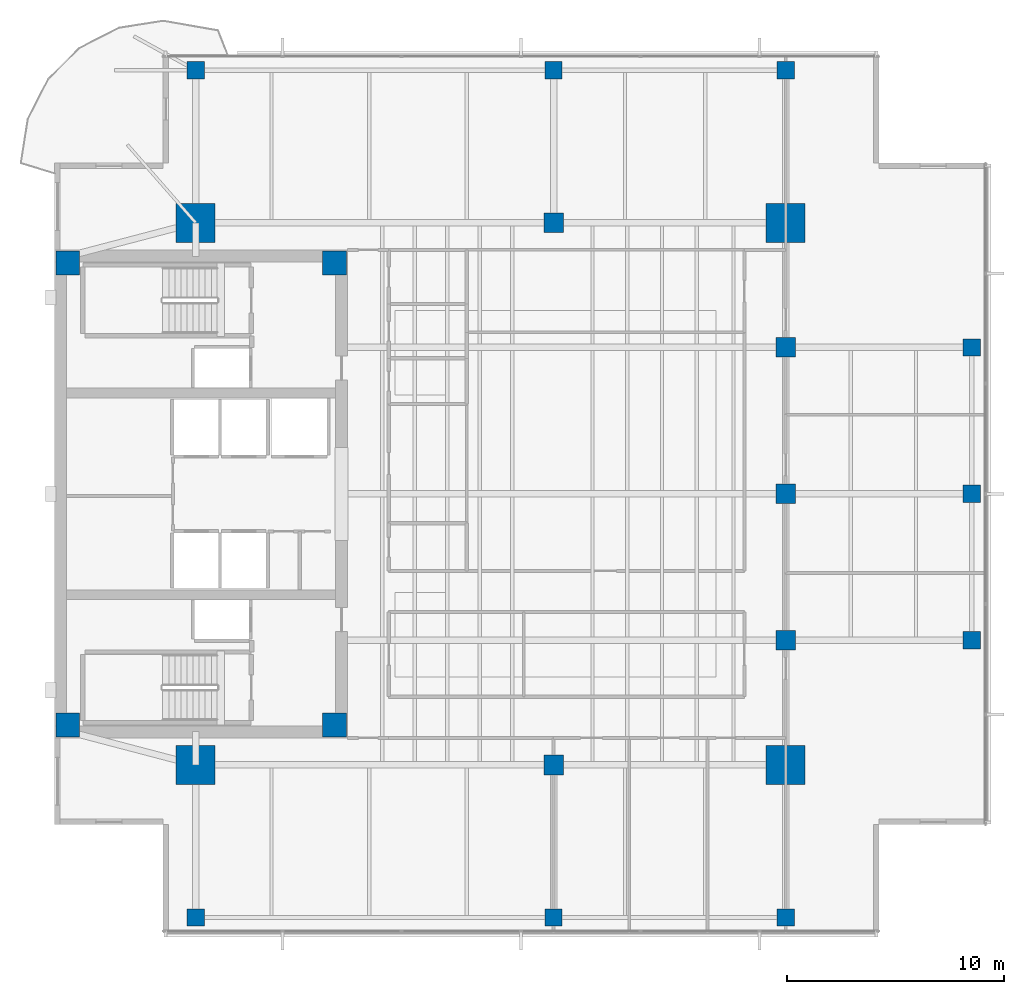
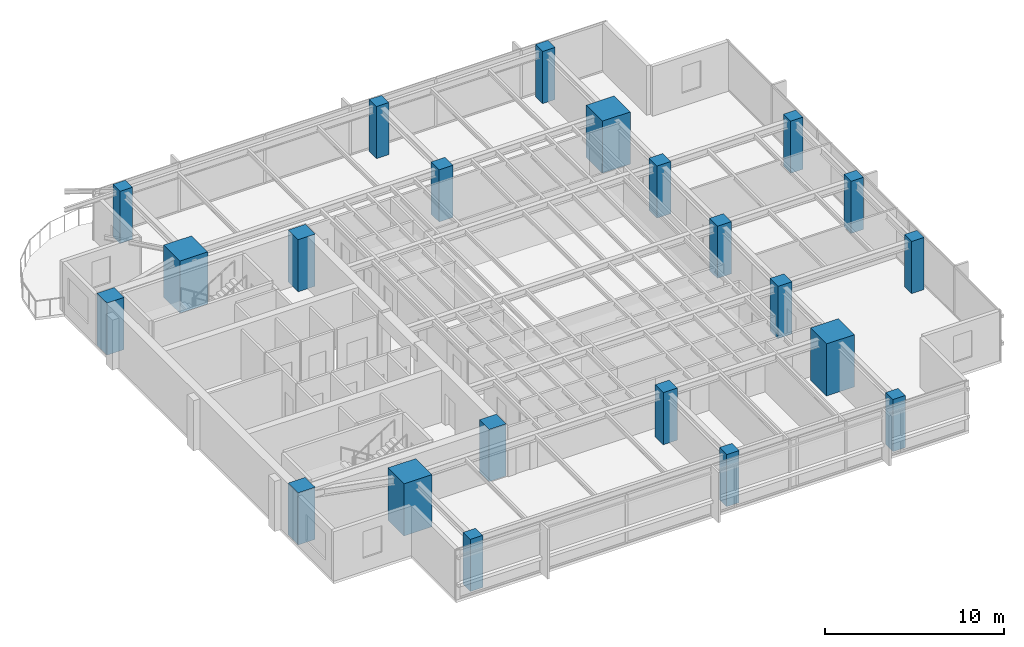
# One storey, part 1 of 14: 22 columns.
"""IFC4 building model written with IfcOpenShell, lengths in metres."""

from ifc_helpers import new_model, si_unit, direction, frame, origin, origin_2d, place, context, subcontext, project, spatial, rectangle, extrude, material, material_profile, profile_set, type_object, element, save


model = new_model("IFC4")

# Units and contexts
model_context = context("Model", 3, precision=1e-05, world=origin(), true_north=direction((0.0, 1.0)))
body_context = subcontext(model_context, "Body", "Model", "MODEL_VIEW")
ifc_project = project(units=[si_unit("LENGTHUNIT", "METRE"), si_unit("AREAUNIT", "SQUARE_METRE"), si_unit("VOLUMEUNIT", "CUBIC_METRE"), si_unit("PLANEANGLEUNIT", "RADIAN"), si_unit("MASSUNIT", "GRAM", prefix="KILO")], contexts=[model_context])

# Site, building, storey
site_placement = place(None, origin())
site = spatial("IfcSite", under=ifc_project, at=site_placement, CompositionType="ELEMENT")
building_placement = place(site_placement, origin())
building = spatial("IfcBuilding", under=site, at=building_placement, Name="Kinhvarn Gate Tower", CompositionType="ELEMENT")
storey_placement = place(building_placement, frame((0.0, 0.0, 223.550048828125)))
storey = spatial("IfcBuildingStorey", under=building, at=storey_placement, Name="L59", CompositionType="ELEMENT", Elevation=223.550048828125)

# Columns
ifc_material_1 = material(Name="Concrete C60/75", Category="concrete")
ifc_material_profile_1 = material_profile(ifc_material_1, rectangle(XDim=1.800048828125, YDim=1.800048828125, at=origin_2d()), Name="RC 1800x1800")
ifc_profile_set_1 = profile_set([ifc_material_profile_1], Name="Concrete C60/75")
column_type_1 = type_object("IfcColumnType", Name="COL-MC-1800", PredefinedType="COLUMN", material=ifc_profile_set_1)
for number, where, z_axis, x_axis, name in (
    (1, (11.0, 12.75, 0.0), (0.0, 0.0, 1.0), (1.0, 0.0, 0.0), "Column MC1-L59 (MC-18)"),
    (2, (11.0, 37.75, 0.0), (0.0, 0.0, 1.0), (1.0, 0.0, 0.0), "Column MC4-L59 (MC-18)"),
    (3, (38.199951171875, 12.75, 0.0), (0.0, 0.0, 1.0), (1.0, 0.0, 0.0), "Column MC2-L59 (MC-18)"),
    (4, (38.199951171875, 37.75, 0.0), (0.0, 0.0, 1.0), (1.0, 0.0, 0.0), "Column MC3-L59 (MC-18)"),
):
    element("IfcColumn", number, at=place(storey_placement, frame(where, z_axis=z_axis, x_axis=x_axis)), inside=storey, type_object=column_type_1, Name=name, PredefinedType="COLUMN", context=body_context, shape_type="SweptSolid", body=[
        extrude(rectangle(XDim=1.800048828125, YDim=1.800048828125, at=origin_2d()), origin(), (0.0, 0.0, 1.0), 3.550048828125),
    ])
ifc_material_2 = material(Name="Concrete C50/60", Category="concrete")
ifc_material_profile_2 = material_profile(ifc_material_2, rectangle(XDim=0.800048828125, YDim=0.800048828125, at=origin_2d()), Name="RC 800x800")
ifc_profile_set_2 = profile_set([ifc_material_profile_2], Name="Concrete C50/60")
column_type_2 = type_object("IfcColumnType", Name="COL-RC-800", PredefinedType="COLUMN", material=ifc_profile_set_2)
for number, where, z_axis, x_axis, name in (
    (5, (46.780029296875, 18.5, 0.0), (0.0, 0.0, 1.0), (1.0, 0.0, 0.0), "Column CE-1-L59 (C-080)"),
    (6, (46.780029296875, 25.25, 0.0), (0.0, 0.0, 1.0), (1.0, 0.0, 0.0), "Column CE-2-L59 (C-080)"),
    (7, (46.780029296875, 32.0, 0.0), (0.0, 0.0, 1.0), (1.0, 0.0, 0.0), "Column CE-3-L59 (C-080)"),
    (8, (11.0, 5.719970703125, 0.0), (0.0, 0.0, 1.0), (1.0, 0.0, 0.0), "Column CS-0-L59 (C-080)"),
    (9, (27.5, 5.719970703125, 0.0), (0.0, 0.0, 1.0), (1.0, 0.0, 0.0), "Column CS-1-L59 (C-080)"),
    (10, (38.199951171875, 5.719970703125, 0.0), (0.0, 0.0, 1.0), (1.0, 0.0, 0.0), "Column CS-2-L59 (C-080)"),
    (11, (11.0, 44.780029296875, 0.0), (0.0, 0.0, 1.0), (1.0, 0.0, 0.0), "Column CN-0-L59 (C-080)"),
    (12, (27.5, 44.780029296875, 0.0), (0.0, 0.0, 1.0), (1.0, 0.0, 0.0), "Column CN-1-L59 (C-080)"),
    (13, (38.199951171875, 44.780029296875, 0.0), (0.0, 0.0, 1.0), (1.0, 0.0, 0.0), "Column CN-2-L59 (C-080)"),
):
    element("IfcColumn", number, at=place(storey_placement, frame(where, z_axis=z_axis, x_axis=x_axis)), inside=storey, type_object=column_type_2, Name=name, PredefinedType="COLUMN", context=body_context, shape_type="SweptSolid", body=[
        extrude(rectangle(XDim=0.800048828125, YDim=0.800048828125, at=origin_2d()), origin(), (0.0, 0.0, 1.0), 3.550048828125),
    ])
ifc_material_profile_3 = material_profile(ifc_material_1, rectangle(XDim=0.89990234375, YDim=0.89990234375, at=origin_2d()), Name="RC 900x900")
ifc_profile_set_3 = profile_set([ifc_material_profile_3], Name="Concrete C60/75")
column_type_3 = type_object("IfcColumnType", Name="COL-RC-900", PredefinedType="COLUMN", material=ifc_profile_set_3)
for number, where, z_axis, x_axis, name in (
    (14, (27.5, 12.75, 0.0), (0.0, 0.0, 1.0), (1.0, 0.0, 0.0), "Column SP27-S-L59 (C-090)"),
    (15, (27.5, 37.75, 0.0), (0.0, 0.0, 1.0), (1.0, 0.0, 0.0), "Column SP27-N-L59 (C-090)"),
    (16, (38.199951171875, 18.5, 0.0), (0.0, 0.0, 1.0), (1.0, 0.0, 0.0), "Column SP38-E1-L59 (C-090)"),
    (17, (38.199951171875, 25.25, 0.0), (0.0, 0.0, 1.0), (1.0, 0.0, 0.0), "Column SP38-E2-L59 (C-090)"),
    (18, (38.199951171875, 32.0, 0.0), (0.0, 0.0, 1.0), (1.0, 0.0, 0.0), "Column SP38-E3-L59 (C-090)"),
):
    element("IfcColumn", number, at=place(storey_placement, frame(where, z_axis=z_axis, x_axis=x_axis)), inside=storey, type_object=column_type_3, Name=name, PredefinedType="COLUMN", context=body_context, shape_type="SweptSolid", body=[
        extrude(rectangle(XDim=0.89990234375, YDim=0.89990234375, at=origin_2d()), origin(), (0.0, 0.0, 1.0), 3.550048828125),
    ])
ifc_material_profile_4 = material_profile(ifc_material_1, rectangle(XDim=1.10009765625, YDim=1.10009765625, at=origin_2d()), Name="RC 1100x1100")
ifc_profile_set_4 = profile_set([ifc_material_profile_4], Name="Concrete C60/75")
column_type_4 = type_object("IfcColumnType", Name="PIL-RC-1100", PredefinedType="PILASTER", material=ifc_profile_set_4)
for number, where, z_axis, x_axis, name in (
    (19, (5.10009765625, 14.60009765625, 0.0), (0.0, 0.0, 1.0), (1.0, 0.0, 0.0), "Column CC-SW-L59 (CP-110)"),
    (20, (5.10009765625, 35.89990234375, 0.0), (0.0, 0.0, 1.0), (1.0, 0.0, 0.0), "Column CC-NW-L59 (CP-110)"),
    (21, (17.39990234375, 14.60009765625, 0.0), (0.0, 0.0, 1.0), (1.0, 0.0, 0.0), "Column CC-SE-L59 (CP-110)"),
    (22, (17.39990234375, 35.89990234375, 0.0), (0.0, 0.0, 1.0), (1.0, 0.0, 0.0), "Column CC-NE-L59 (CP-110)"),
):
    element("IfcColumn", number, at=place(storey_placement, frame(where, z_axis=z_axis, x_axis=x_axis)), inside=storey, type_object=column_type_4, Name=name, PredefinedType="PILASTER", context=body_context, shape_type="SweptSolid", body=[
        extrude(rectangle(XDim=1.10009765625, YDim=1.10009765625, at=origin_2d()), origin(), (0.0, 0.0, 1.0), 3.550048828125),
    ])

save(model, "model.ifc")
